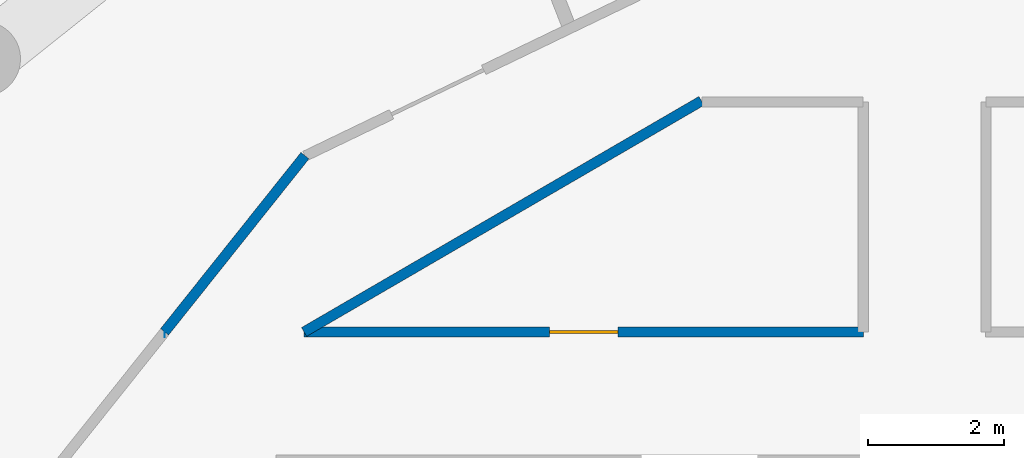
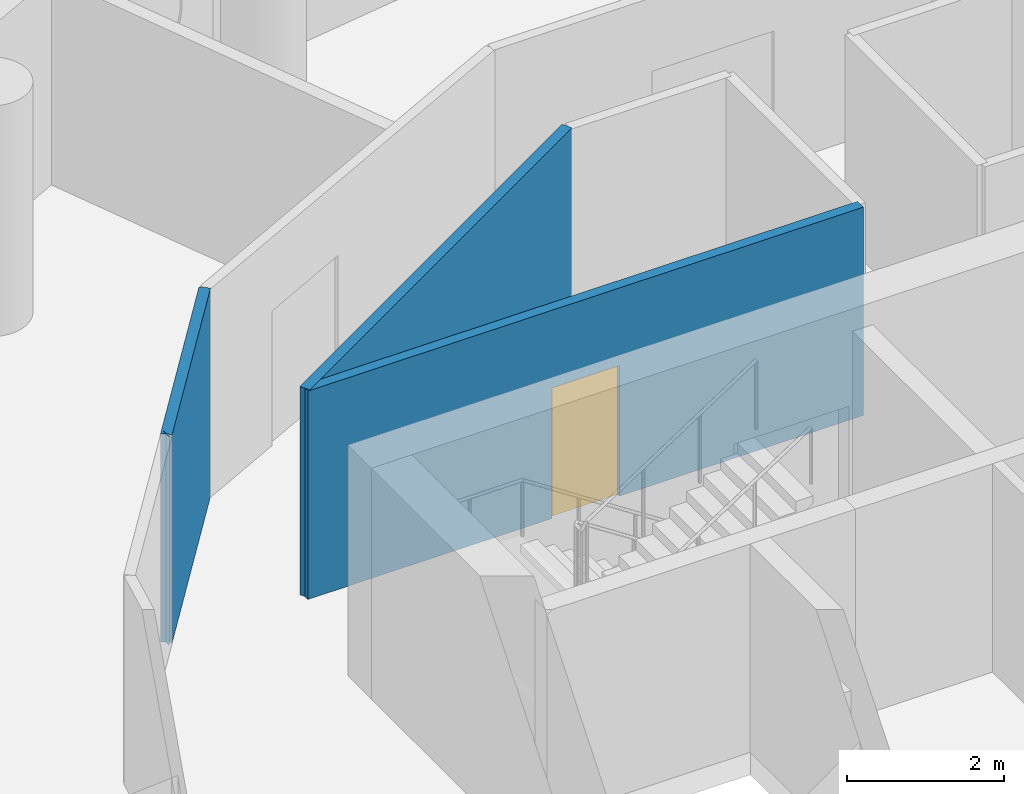
# One storey, part 7 of 12: 4 walls, 1 door, 1 opening.
"""IFC4 building model written with IfcOpenShell, lengths in metres."""

from ifc_helpers import new_model, si_unit, direction, frame, frame_2d, origin, place, context, subcontext, project, spatial, rectangle, extrude, material, layer, layer_set, type_object, element, fill, save


model = new_model("IFC4")

# Units and contexts
model_context = context("Model", 3, precision=1e-05, world=origin(), true_north=direction((0.0, 1.0)))
body_context = subcontext(model_context, "Body", "Model", "MODEL_VIEW")
ifc_project = project(units=[si_unit("LENGTHUNIT", "METRE"), si_unit("AREAUNIT", "SQUARE_METRE"), si_unit("VOLUMEUNIT", "CUBIC_METRE"), si_unit("PLANEANGLEUNIT", "RADIAN"), si_unit("MASSUNIT", "GRAM", prefix="KILO")], contexts=[model_context])

# Site, building, storey
site_placement = place(None, origin())
site = spatial("IfcSite", under=ifc_project, at=site_placement, CompositionType="ELEMENT")
building_placement = place(site_placement, origin())
building = spatial("IfcBuilding", under=site, at=building_placement, Name="Tracery Tower", CompositionType="ELEMENT")
storey_placement = place(building_placement, frame((0.0, 0.0, 234.60009765625)))
storey = spatial("IfcBuildingStorey", under=building, at=storey_placement, Name="L60", CompositionType="ELEMENT", Elevation=234.60009765625)

# Wall
ifc_material_1 = material(Name="Plasterboard on steel studs", Category="steel")
ifc_layer = layer(ifc_material_1, 0.14990234375)
ifc_layer_set = layer_set([ifc_layer], Name="Partition 150 corridor wall")
wall_type = type_object("IfcWallType", Name="Partition 150 corridor wall", PredefinedType="PARTITIONING", material=ifc_layer_set)
wall_1_placement = place(storey_placement, frame((-9.092041015625, 8.800048828125, 0.0), z_axis=(0.0, 0.0, 1.0), x_axis=(0.864470922103, 0.502682827277, 0.0)))
element("IfcWall", 1, at=wall_1_placement, inside=storey, type_object=wall_type, Name="Corridor wall RC1-001", PredefinedType="PARTITIONING", context=body_context, shape_type="SweptSolid", body=[
    extrude(rectangle(XDim=6.7353515625, YDim=0.14990234375, at=frame_2d((3.36767578125, 0.0))), origin(), (0.0, 0.0, 1.0), 3.25),
])

# Wall, opening, door
wall_2_placement = place(storey_placement, frame((-9.092041015625, 8.800048828125, 0.0), z_axis=(0.0, 0.0, 1.0), x_axis=(1.0, 0.0, 0.0)))
wall_2 = element("IfcWall", 2, at=wall_2_placement, inside=storey, type_object=wall_type, Name="Corridor wall RC1-002", PredefinedType="PARTITIONING", context=body_context, shape_type="SweptSolid", body=[
    extrude(rectangle(XDim=8.196044921875, YDim=0.14990234375, at=frame_2d((4.09814453125, 0.0))), origin(), (0.0, 0.0, 1.0), 3.25),
])
opening_placement = place(wall_2_placement, frame((3.597900390625, 0.0, 0.0)))
opening = element("IfcOpeningElement", 3, at=opening_placement, cuts=wall_2, Name="Opening RC1-01", PredefinedType="OPENING", context=body_context, shape_type="SweptSolid", body=[
    extrude(rectangle(XDim=1.0, YDim=2.0400390625, at=frame_2d((0.5, 1.02001953125))), frame((0.0, 0.074951171875, 0.0), z_axis=(0.0, -1.0, 0.0), x_axis=(1.0, 0.0, 0.0)), (0.0, 0.0, 1.0), 0.14990234375),
])
ifc_material_2 = material(Name="Timber door leaf", Category="wood")
door_type = type_object("IfcDoorType", Name="Door communal room 1000", OperationType="NOTDEFINED", PredefinedType="DOOR", material=ifc_material_2)
door_placement = place(opening_placement, origin())
door = element("IfcDoor", 4, at=door_placement, inside=storey, type_object=door_type, Name="Communal room door RC1-01", OperationType="SINGLE_SWING_RIGHT", OverallHeight=2.0400390625, OverallWidth=1.0, PredefinedType="DOOR", context=body_context, shape_type="SweptSolid", body=[
    extrude(rectangle(XDim=1.0, YDim=2.0400390625, at=frame_2d((0.5, 1.02001953125))), frame((0.0, 0.02490234375, 0.0), z_axis=(0.0, -1.0, 0.0), x_axis=(1.0, 0.0, 0.0)), (0.0, 0.0, 1.0), 0.050048828125),
])
fill(opening, door)

# Walls
wall_3_placement = place(storey_placement, frame((-11.134033203125, 8.800048828125, 0.0), z_axis=(0.0, 0.0, 1.0), x_axis=(-1.0, 0.0, 0.0)))
element("IfcWall", 5, at=wall_3_placement, inside=storey, type_object=wall_type, Name="Corridor wall RC1-009", PredefinedType="PARTITIONING", context=body_context, shape_type="SweptSolid", body=[
    extrude(rectangle(XDim=0.0029296875, YDim=0.14990234375, at=frame_2d((0.00146484375, 0.0))), origin(), (0.0, 0.0, 1.0), 3.25),
])
wall_4_placement = place(storey_placement, frame((-11.135986328125, 8.802001953125, 0.0), z_axis=(0.0, 0.0, 1.0), x_axis=(0.623151397235, 0.782101231379, 0.0)))
element("IfcWall", 6, at=wall_4_placement, inside=storey, type_object=wall_type, Name="Corridor wall RC1-010", PredefinedType="PARTITIONING", context=body_context, shape_type="SweptSolid", body=[
    extrude(rectangle(XDim=3.30078125, YDim=0.14990234375, at=frame_2d((1.650390625, 0.0))), origin(), (0.0, 0.0, 1.0), 3.25),
])

save(model, "model.ifc")
